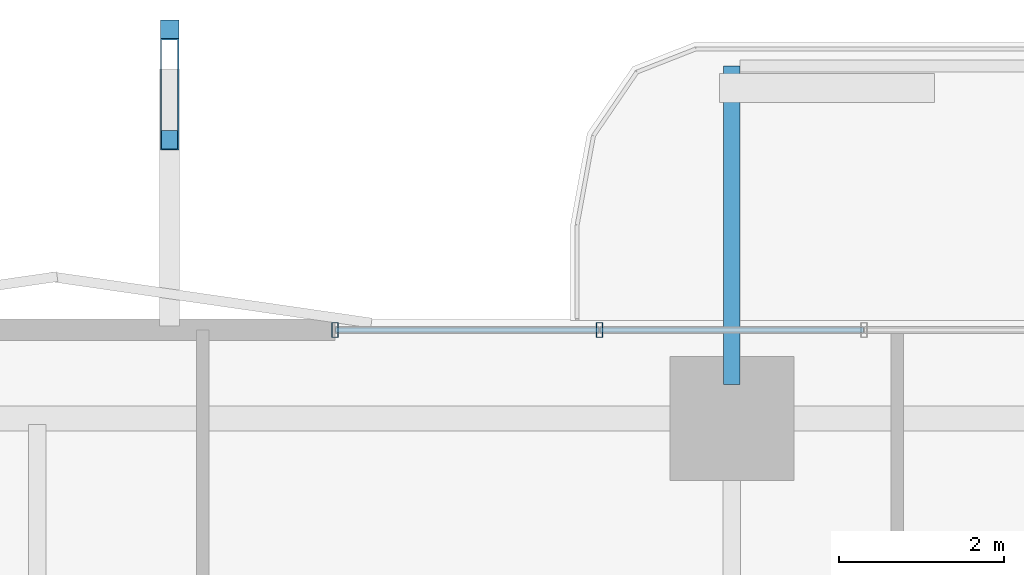
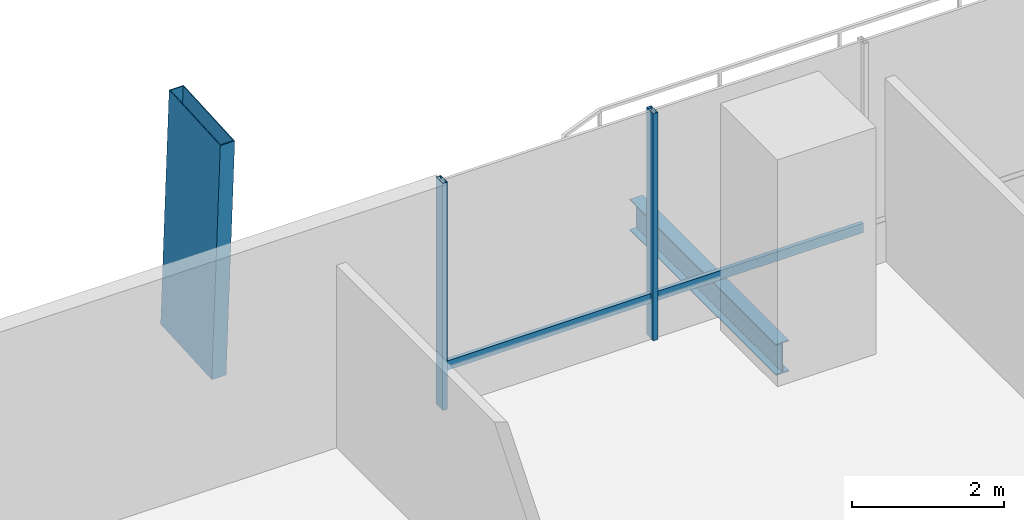
# One storey, part 11 of 23: 5 members, 1 beam, 1 element without a shape of its own.
"""IFC4 building model written with IfcOpenShell, lengths in metres."""

from ifc_helpers import new_model, si_unit, direction, frame, origin, origin_2d, place, context, subcontext, project, spatial, hollow_rectangle, i_section, extrude, material, layer, layer_set, material_profile, profile_set, type_object, element, aggregate, save


model = new_model("IFC4")

# Units and contexts
model_context = context("Model", 3, precision=1e-05, world=origin(), true_north=direction((0.0, 1.0)))
body_context = subcontext(model_context, "Body", "Model", "MODEL_VIEW")
ifc_project = project(units=[si_unit("LENGTHUNIT", "METRE"), si_unit("AREAUNIT", "SQUARE_METRE"), si_unit("VOLUMEUNIT", "CUBIC_METRE"), si_unit("PLANEANGLEUNIT", "RADIAN"), si_unit("MASSUNIT", "GRAM", prefix="KILO")], contexts=[model_context])

# Site, building, storey
site_placement = place(None, origin())
site = spatial("IfcSite", under=ifc_project, at=site_placement, CompositionType="ELEMENT")
building_placement = place(site_placement, origin())
building = spatial("IfcBuilding", under=site, at=building_placement, Name="Belovzor Exchange Tower", CompositionType="ELEMENT")
storey_placement = place(building_placement, frame((0.0, 0.0, 41.699951171875)))
storey = spatial("IfcBuildingStorey", under=building, at=storey_placement, Name="L09", CompositionType="ELEMENT", Elevation=41.699951171875)

# Member
ifc_material_1 = material(Name="Extruded Architectural Terracotta on Steel S355 Carrier", Category="masonry")
ifc_material_profile_1 = material_profile(ifc_material_1, hollow_rectangle(XDim=0.219970703125, YDim=1.35009765625, WallThickness=0.013916015625, at=origin_2d()))
ifc_profile_set_1 = profile_set([ifc_material_profile_1], Name="Extruded Architectural Terracotta on Steel S355 Carrier")
member_type_1 = type_object("IfcMemberType", Name="Base Arc Sweeping Terracotta Pylon Fin 1450", PredefinedType="USERDEFINED", material=ifc_profile_set_1)
member_1_placement = place(storey_placement, frame((22.0, 59.64599609375, -0.25), z_axis=(0.0, -0.057619293609, 0.998338628424), x_axis=(1.0, 0.0, 0.0)))
element("IfcMember", 1, at=member_1_placement, inside=storey, type_object=member_type_1, Name="FIN-TC145 Terracotta Facade Fin L09 N2", ObjectType="FIN", PredefinedType="USERDEFINED", context=body_context, shape_type="SweptSolid", body=[
    extrude(hollow_rectangle(XDim=0.219970703125, YDim=1.35009765625, WallThickness=0.013916015625, at=origin_2d()), origin(), (0.0, 0.0, 1.0), 3.90673828125),
])

# Beam
ifc_material_2 = material(Name="Steel S355", Category="steel")
ifc_material_profile_2 = material_profile(ifc_material_2, i_section(OverallWidth=0.199951171875, OverallDepth=0.5, WebThickness=0.01025390625, FlangeThickness=0.01611328125, at=origin_2d()))
ifc_profile_set_2 = profile_set([ifc_material_profile_2], Name="Steel S355")
beam_type = type_object("IfcBeamType", Name="Planted Balcony Cantilever Beam IPE 500", PredefinedType="BEAM", material=ifc_profile_set_2)
beam_placement = place(storey_placement, frame((28.800048828125, 55.9130859375, -0.5), z_axis=(0.0, 1.0, 0.0), x_axis=(-1.0, 0.0, 0.0)))
element("IfcBeam", 2, at=beam_placement, inside=storey, type_object=beam_type, Name="BC-500 Planted Balcony Cantilever Beam IPE 500", PredefinedType="BEAM", context=body_context, shape_type="SweptSolid", body=[
    extrude(i_section(OverallWidth=0.199951171875, OverallDepth=0.5, WebThickness=0.01025390625, FlangeThickness=0.01611328125, at=origin_2d()), origin(), (0.0, 0.0, 1.0), 3.849853515625),
])

# Curtain wall, members
ifc_material_3 = material(Name="Anodised Aluminium Framing", Category="aluminium")
ifc_layer = layer(ifc_material_3, 0.179931640625)
ifc_layer_set = layer_set([ifc_layer], Name="Anodised Aluminium Framing")
curtain_wall_type = type_object("IfcCurtainWallType", Name="Recessed Loggia Low-Iron Triple-Glazed Curtain Wall", PredefinedType="NOTDEFINED", material=ifc_layer_set)
curtain_wall_placement = place(storey_placement, origin())
curtain_wall = element("IfcCurtainWall", 3, at=curtain_wall_placement, inside=storey, type_object=curtain_wall_type, Name="CW3 Recessed Loggia Low-Iron Triple-Glazed Curtain Wall L09", PredefinedType="NOTDEFINED")
ifc_material_4 = material(Name="Steel S355", Category="steel")
ifc_material_profile_3 = material_profile(ifc_material_4, hollow_rectangle(XDim=0.074951171875, YDim=0.179931640625, WallThickness=0.0048828125, at=origin_2d()))
ifc_profile_set_3 = profile_set([ifc_material_profile_3], Name="Steel S355")
member_type_2 = type_object("IfcMemberType", Name="Thermally Broken Curtain Wall Mullion 180x75", PredefinedType="MULLION", material=ifc_profile_set_3)
member_2_placement = place(storey_placement, frame((24.0, 56.570068359375, 0.0), z_axis=(0.0, 0.0, 1.0), x_axis=(1.0, 0.0, 0.0)))
member_2 = element("IfcMember", 4, at=member_2_placement, type_object=member_type_2, Name="CW-M180 Curtain Wall Mullion 1", PredefinedType="MULLION", context=body_context, shape_type="SweptSolid", body=[
    extrude(hollow_rectangle(XDim=0.074951171875, YDim=0.179931640625, WallThickness=0.0048828125, at=origin_2d()), origin(), (0.0, 0.0, 1.0), 3.650146484375),
])
member_3_placement = place(storey_placement, frame((27.199951171875, 56.570068359375, 0.0), z_axis=(0.0, 0.0, 1.0), x_axis=(1.0, 0.0, 0.0)))
member_3 = element("IfcMember", 5, at=member_3_placement, type_object=member_type_2, Name="CW-M180 Curtain Wall Mullion 2", PredefinedType="MULLION", context=body_context, shape_type="SweptSolid", body=[
    extrude(hollow_rectangle(XDim=0.074951171875, YDim=0.179931640625, WallThickness=0.0048828125, at=origin_2d()), origin(), (0.0, 0.0, 1.0), 3.650146484375),
])
ifc_material_5 = material(Name="Steel S355", Category="steel")
ifc_material_profile_4 = material_profile(ifc_material_5, hollow_rectangle(XDim=0.06005859375, YDim=0.14990234375, WallThickness=0.00390625, at=origin_2d()))
ifc_profile_set_4 = profile_set([ifc_material_profile_4], Name="Steel S355")
member_type_3 = type_object("IfcMemberType", Name="Thermally Broken Curtain Wall Transom 150x60", PredefinedType="USERDEFINED", material=ifc_profile_set_4)
member_4_placement = place(storey_placement, frame((24.008056640625, 56.570068359375, 0.650146484375), z_axis=(1.0, 0.0, 0.0), x_axis=(0.0, 1.0, 0.0)))
member_4 = element("IfcMember", 6, at=member_4_placement, type_object=member_type_3, Name="CW-T150 Curtain Wall Transom 1", ObjectType="TRANSOM", PredefinedType="USERDEFINED", context=body_context, shape_type="SweptSolid", body=[
    extrude(hollow_rectangle(XDim=0.06005859375, YDim=0.14990234375, WallThickness=0.00390625, at=origin_2d()), origin(), (0.0, 0.0, 1.0), 3.183837890625),
])
member_5_placement = place(storey_placement, frame((27.2080078125, 56.570068359375, 0.650146484375), z_axis=(1.0, 0.0, 0.0), x_axis=(0.0, 1.0, 0.0)))
member_5 = element("IfcMember", 7, at=member_5_placement, type_object=member_type_3, Name="CW-T150 Curtain Wall Transom 2", ObjectType="TRANSOM", PredefinedType="USERDEFINED", context=body_context, shape_type="SweptSolid", body=[
    extrude(hollow_rectangle(XDim=0.06005859375, YDim=0.14990234375, WallThickness=0.00390625, at=origin_2d()), origin(), (0.0, 0.0, 1.0), 3.18408203125),
])
aggregate(curtain_wall, [member_2, member_3, member_4, member_5])

save(model, "model.ifc")
